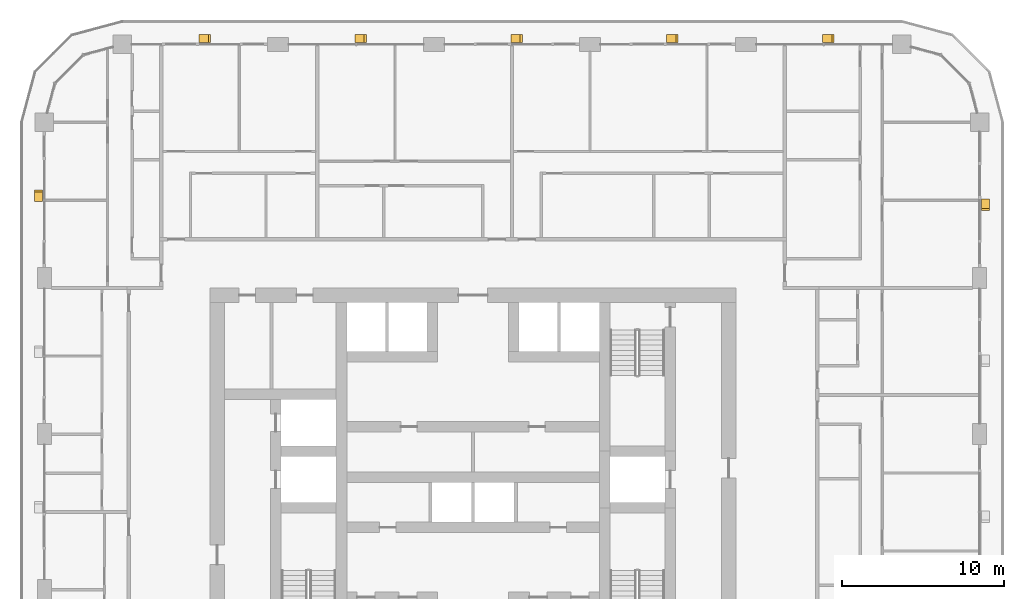
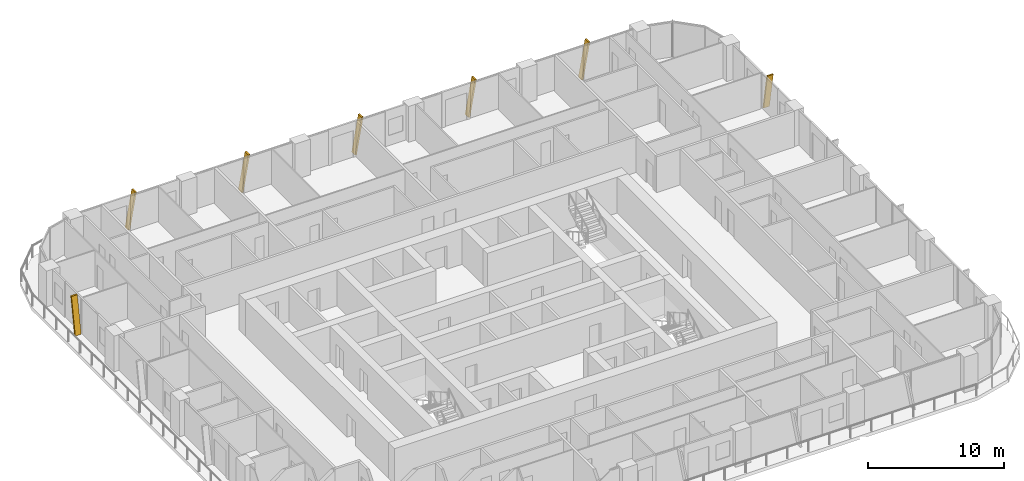
# One storey, part 21 of 21: 7 shading devices.
"""IFC4 building model written with IfcOpenShell, lengths in metres."""

from ifc_helpers import new_model, si_unit, direction, frame, origin, place, context, subcontext, project, spatial, polyline, outline, extrude, material, type_object, element, save


model = new_model("IFC4")

# Units and contexts
model_context = context("Model", 3, precision=1e-05, world=origin(), true_north=direction((0.0, 1.0)))
body_context = subcontext(model_context, "Body", "Model", "MODEL_VIEW")
ifc_project = project(units=[si_unit("LENGTHUNIT", "METRE"), si_unit("AREAUNIT", "SQUARE_METRE"), si_unit("VOLUMEUNIT", "CUBIC_METRE"), si_unit("PLANEANGLEUNIT", "RADIAN"), si_unit("MASSUNIT", "GRAM", prefix="KILO")], contexts=[model_context])

# Site, building, storey
site_placement = place(None, origin())
site = spatial("IfcSite", under=ifc_project, at=site_placement, CompositionType="ELEMENT")
building_placement = place(site_placement, origin())
building = spatial("IfcBuilding", under=site, at=building_placement, Name="Madar Terraces", CompositionType="ELEMENT")
storey_placement = place(building_placement, frame((0.0, 0.0, 106.699951171875)))
storey = spatial("IfcBuildingStorey", under=building, at=storey_placement, Name="L27", CompositionType="ELEMENT", Elevation=106.699951171875)

# Shading devices
ifc_material = material(Name="Aluminium, black anodised", Category="aluminium")
shading_device_type = type_object("IfcShadingDeviceType", Name="Facade fin blade 140 x 500", PredefinedType="USERDEFINED", material=ifc_material)
for number, where, z_axis, x_axis, name in (
    (1, (62.75, 43.1298828125, 0.0), (0.0, 0.0, 1.0), (0.0, 1.0, 0.0), "FIN L27 E4"),
    (2, (52.8701171875, 53.14990234375, 0.0), (0.0, 0.0, 1.0), (-1.0, 0.0, 0.0), "FIN L27 N1"),
    (3, (43.27001953125, 53.14990234375, 0.0), (0.0, 0.0, 1.0), (-1.0, 0.0, 0.0), "FIN L27 N2"),
):
    element("IfcShadingDevice", number, at=place(storey_placement, frame(where, z_axis=z_axis, x_axis=x_axis)), inside=storey, type_object=shading_device_type, Name=name, ObjectType="FIN", PredefinedType="USERDEFINED", context=body_context, shape_type="SweptSolid", body=[
        extrude(outline(polyline([(0.0, 0.0), (0.14013671875, 0.0), (-0.42431640625, 3.199951171875), (-0.564208984375, 3.199951171875), (0.0, 0.0)])), frame((0.0, 0.25, 0.0), z_axis=(0.0, -1.0, 0.0), x_axis=(1.0, 0.0, 0.0)), (0.0, 0.0, 1.0), 0.5),
    ])
shading_device_1_placement = place(storey_placement, frame((33.669921875, 53.14990234375, 0.0), z_axis=(0.0, 0.0, 1.0), x_axis=(-1.0, 0.0, 0.0)))
element("IfcShadingDevice", 4, at=shading_device_1_placement, inside=storey, type_object=shading_device_type, Name="FIN L27 N3", ObjectType="FIN", PredefinedType="USERDEFINED", context=body_context, shape_type="SweptSolid", body=[
    extrude(outline(polyline([(0.0, 0.0), (0.139892578125, 0.0), (-0.42431640625, 3.199951171875), (-0.564208984375, 3.199951171875), (0.0, 0.0)])), frame((0.0, 0.25, 0.0), z_axis=(0.0, -1.0, 0.0), x_axis=(1.0, 0.0, 0.0)), (0.0, 0.0, 1.0), 0.5),
])
shading_device_2_placement = place(storey_placement, frame((24.070068359375, 53.14990234375, 0.0), z_axis=(0.0, 0.0, 1.0), x_axis=(-1.0, 0.0, 0.0)))
element("IfcShadingDevice", 5, at=shading_device_2_placement, inside=storey, type_object=shading_device_type, Name="FIN L27 N4", ObjectType="FIN", PredefinedType="USERDEFINED", context=body_context, shape_type="SweptSolid", body=[
    extrude(outline(polyline([(0.0, 0.0), (0.14013671875, 0.0), (-0.42431640625, 3.199951171875), (-0.564208984375, 3.199951171875), (0.0, 0.0)])), frame((0.0, 0.25, 0.0), z_axis=(0.0, -1.0, 0.0), x_axis=(1.0, 0.0, 0.0)), (0.0, 0.0, 1.0), 0.5),
])
shading_device_3_placement = place(storey_placement, frame((14.469970703125, 53.14990234375, 0.0), z_axis=(0.0, 0.0, 1.0), x_axis=(-1.0, 0.0, 0.0)))
element("IfcShadingDevice", 6, at=shading_device_3_placement, inside=storey, type_object=shading_device_type, Name="FIN L27 N5", ObjectType="FIN", PredefinedType="USERDEFINED", context=body_context, shape_type="SweptSolid", body=[
    extrude(outline(polyline([(0.0, 0.0), (0.139892578125, 0.0), (-0.42431640625, 3.199951171875), (-0.564208984375, 3.199951171875), (0.0, 0.0)])), frame((0.0, 0.25, 0.0), z_axis=(0.0, -1.0, 0.0), x_axis=(1.0, 0.0, 0.0)), (0.0, 0.0, 1.0), 0.5),
])
shading_device_4_placement = place(storey_placement, frame((4.449951171875, 43.27001953125, 0.0), z_axis=(0.0, 0.0, 1.0), x_axis=(0.0, -1.0, 0.0)))
element("IfcShadingDevice", 7, at=shading_device_4_placement, inside=storey, type_object=shading_device_type, Name="FIN L27 W1", ObjectType="FIN", PredefinedType="USERDEFINED", context=body_context, shape_type="SweptSolid", body=[
    extrude(outline(polyline([(0.0, 0.0), (0.14013671875, 0.0), (-0.42431640625, 3.199951171875), (-0.564208984375, 3.199951171875), (0.0, 0.0)])), frame((0.0, 0.25, 0.0), z_axis=(0.0, -1.0, 0.0), x_axis=(1.0, 0.0, 0.0)), (0.0, 0.0, 1.0), 0.5),
])

save(model, "model.ifc")
